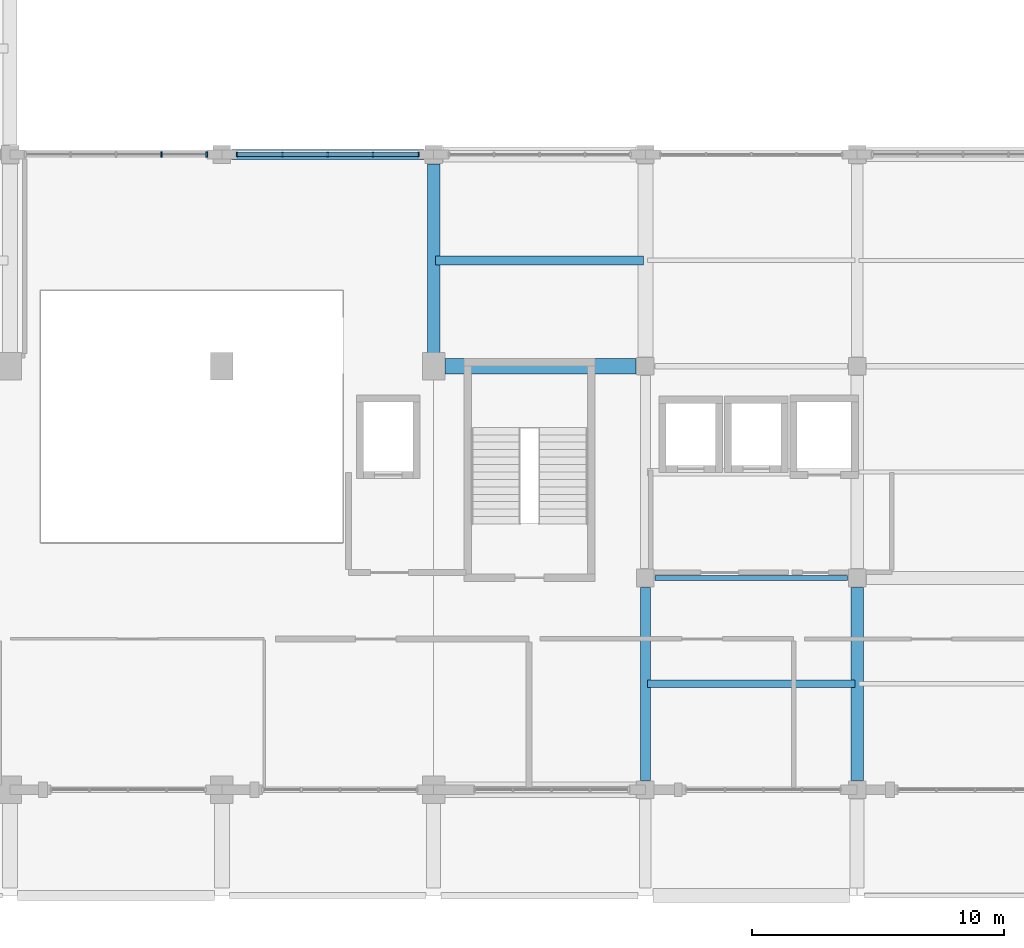
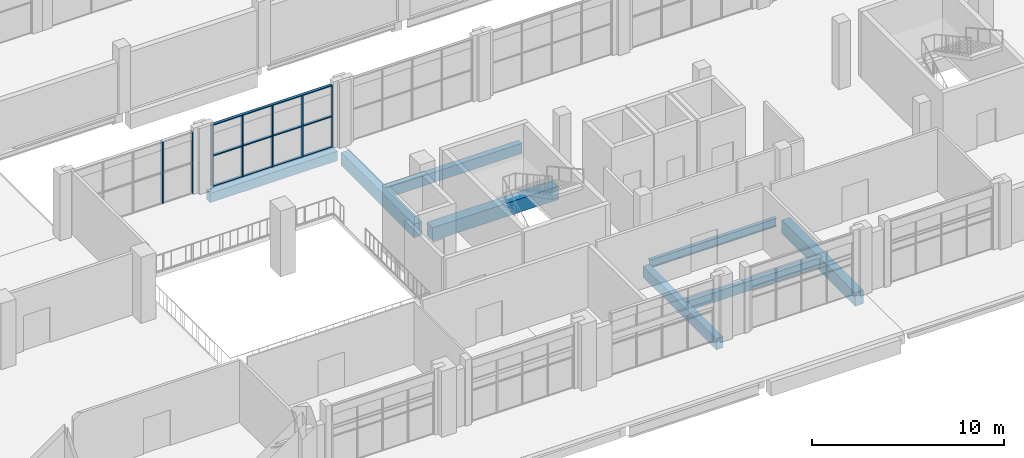
# One storey, part 17 of 59: 10 members, 8 beams, 2 elements without a shape of their own.
"""IFC4 building model written with IfcOpenShell, lengths in metres."""

from ifc_helpers import new_model, si_unit, derived_unit, direction, frame, origin, origin_2d, place, context, subcontext, project, spatial, rectangle, i_section, extrude, material, material_profile, profile_set, type_object, element, aggregate, save


model = new_model("IFC4")

# Units and contexts
model_context = context("Model", 3, precision=1e-05, world=origin(), true_north=direction((0.0, 1.0)))
body_context = subcontext(model_context, "Body", "Model", "MODEL_VIEW")
ifc_project = project(units=[si_unit("LENGTHUNIT", "METRE"), si_unit("AREAUNIT", "SQUARE_METRE"), si_unit("VOLUMEUNIT", "CUBIC_METRE"), si_unit("PLANEANGLEUNIT", "RADIAN"), si_unit("MASSUNIT", "GRAM", prefix="KILO"), derived_unit("THERMALTRANSMITTANCEUNIT", [(si_unit("POWERUNIT", "WATT"), 1), (si_unit("LENGTHUNIT", "METRE"), -2), (si_unit("THERMODYNAMICTEMPERATUREUNIT", "KELVIN"), -1)])], contexts=[model_context])

# Site, building, storey
site_placement = place(None, origin())
site = spatial("IfcSite", under=ifc_project, at=site_placement, CompositionType="ELEMENT")
building_placement = place(site_placement, origin())
building = spatial("IfcBuilding", under=site, at=building_placement, Name="Barrovel Congress Hotel", CompositionType="ELEMENT")
storey_placement = place(building_placement, frame((0.0, 0.0, 9.89990234375)))
storey = spatial("IfcBuildingStorey", under=building, at=storey_placement, Name="L02", CompositionType="ELEMENT", Elevation=9.89990234375)

# Beams
ifc_material_1 = material(Name="Concrete C40", Category="concrete")
ifc_material_profile_1 = material_profile(ifc_material_1, rectangle(XDim=0.300048828125, YDim=0.60009765625, at=origin_2d()), Name="RC300x600")
ifc_profile_set_1 = profile_set([ifc_material_profile_1], Name="Concrete C40")
beam_type_1 = type_object("IfcBeamType", Name="BM-RC300x600", PredefinedType="JOIST", material=ifc_profile_set_1)
beam_1_placement = place(storey_placement, frame((84.080078125, 8.39990234375, -0.559814453125), z_axis=(1.0, 0.0, 0.0), x_axis=(0.0, 1.0, 0.0)))
element("IfcBeam", 1, at=beam_1_placement, inside=storey, type_object=beam_type_1, Name="JST:L02:84.0:8.4", PredefinedType="JOIST", context=body_context, shape_type="SweptSolid", body=[
    extrude(rectangle(XDim=0.300048828125, YDim=0.60009765625, at=origin_2d()), origin(), (0.0, 0.0, 1.0), 8.239990234375),
])
ifc_material_profile_2 = material_profile(ifc_material_1, rectangle(XDim=0.35009765625, YDim=0.64990234375, at=origin_2d()), Name="RC350x650")
ifc_profile_set_2 = profile_set([ifc_material_profile_2], Name="Concrete C40")
beam_type_2 = type_object("IfcBeamType", Name="BM-RC350x650", PredefinedType="JOIST", material=ifc_profile_set_2)
beam_2_placement = place(storey_placement, frame((75.679931640625, 25.199951171875, -0.5849609375), z_axis=(1.0, 0.0, 0.0), x_axis=(0.0, 1.0, 0.0)))
element("IfcBeam", 2, at=beam_2_placement, inside=storey, type_object=beam_type_2, Name="JST:L02:75.6:25.2", PredefinedType="JOIST", context=body_context, shape_type="SweptSolid", body=[
    extrude(rectangle(XDim=0.35009765625, YDim=0.64990234375, at=origin_2d()), origin(), (0.0, 0.0, 1.0), 8.239990234375),
])
ifc_material_profile_3 = material_profile(ifc_material_1, rectangle(XDim=0.39990234375, YDim=0.60009765625, at=origin_2d()), Name="RC400x600")
ifc_profile_set_3 = profile_set([ifc_material_profile_3], Name="Concrete C40")
beam_type_3 = type_object("IfcBeamType", Name="BM-RC400x600", PredefinedType="BEAM", material=ifc_profile_set_3)
beam_3_placement = place(storey_placement, frame((67.574951171875, 29.39990234375, -0.559814453125), z_axis=(1.0, 0.0, 0.0), x_axis=(0.0, 1.0, 0.0)))
element("IfcBeam", 3, at=beam_3_placement, inside=storey, type_object=beam_type_3, Name="BMX:L02:29.4:67.2-75.6", PredefinedType="BEAM", context=body_context, shape_type="SweptSolid", body=[
    extrude(rectangle(XDim=0.39990234375, YDim=0.60009765625, at=origin_2d()), origin(), (0.0, 0.0, 1.0), 7.650146484375),
])
ifc_material_profile_4 = material_profile(ifc_material_1, rectangle(XDim=0.39990234375, YDim=0.699951171875, at=origin_2d()), Name="RC400x700")
ifc_profile_set_4 = profile_set([ifc_material_profile_4], Name="Concrete C40")
beam_type_4 = type_object("IfcBeamType", Name="BM-RC400x700", PredefinedType="BEAM", material=ifc_profile_set_4)
beam_4_placement = place(storey_placement, frame((84.0, 4.574951171875, -0.60986328125), z_axis=(0.0, 1.0, 0.0), x_axis=(-1.0, 0.0, 0.0)))
element("IfcBeam", 4, at=beam_4_placement, inside=storey, type_object=beam_type_4, Name="BMY:L02:84.0:4.2-12.6", PredefinedType="BEAM", context=body_context, shape_type="SweptSolid", body=[
    extrude(rectangle(XDim=0.39990234375, YDim=0.699951171875, at=origin_2d()), origin(), (0.0, 0.0, 1.0), 7.650146484375),
])
ifc_material_profile_5 = material_profile(ifc_material_1, rectangle(XDim=0.5, YDim=0.85009765625, at=origin_2d()), Name="RC500x850")
ifc_profile_set_5 = profile_set([ifc_material_profile_5], Name="Concrete C40")
beam_type_5 = type_object("IfcBeamType", Name="BM-RC500x850", PredefinedType="BEAM", material=ifc_profile_set_5)
beam_5_placement = place(storey_placement, frame((75.60009765625, 21.449951171875, -0.684814453125), z_axis=(0.0, 1.0, 0.0), x_axis=(-1.0, 0.0, 0.0)))
element("IfcBeam", 5, at=beam_5_placement, inside=storey, type_object=beam_type_5, Name="BMY:L02:75.6:21.0-29.4", PredefinedType="BEAM", context=body_context, shape_type="SweptSolid", body=[
    extrude(rectangle(XDim=0.5, YDim=0.85009765625, at=origin_2d()), origin(), (0.0, 0.0, 1.0), 7.574951171875),
])
beam_6_placement = place(storey_placement, frame((92.39990234375, 4.574951171875, -0.684814453125), z_axis=(0.0, 1.0, 0.0), x_axis=(-1.0, 0.0, 0.0)))
element("IfcBeam", 6, at=beam_6_placement, inside=storey, type_object=beam_type_5, Name="BMY:L02:92.4:4.2-12.6", PredefinedType="BEAM", context=body_context, shape_type="SweptSolid", body=[
    extrude(rectangle(XDim=0.5, YDim=0.85009765625, at=origin_2d()), origin(), (0.0, 0.0, 1.0), 7.650146484375),
])
ifc_material_profile_6 = material_profile(ifc_material_1, rectangle(XDim=0.60009765625, YDim=0.85009765625, at=origin_2d()), Name="RC600x850")
ifc_profile_set_6 = profile_set([ifc_material_profile_6], Name="Concrete C40")
beam_type_6 = type_object("IfcBeamType", Name="BM-RC600x850", PredefinedType="BEAM", material=ifc_profile_set_6)
beam_7_placement = place(storey_placement, frame((76.050048828125, 21.0, -0.684814453125), z_axis=(1.0, 0.0, 0.0), x_axis=(0.0, 1.0, 0.0)))
element("IfcBeam", 7, at=beam_7_placement, inside=storey, type_object=beam_type_6, Name="BMX:L02:21.0:75.6-84.0", PredefinedType="BEAM", context=body_context, shape_type="SweptSolid", body=[
    extrude(rectangle(XDim=0.60009765625, YDim=0.85009765625, at=origin_2d()), origin(), (0.0, 0.0, 1.0), 7.574951171875),
])

# Curtain wall, members
ifc_material_2 = material(Name="Anodised Aluminium Alloy 6063-T6", Category="aluminium")
curtain_wall_type = type_object("IfcCurtainWallType", Name="CW-ST-7200x3600", PredefinedType="USERDEFINED", material=ifc_material_2)
curtain_wall_1_placement = place(storey_placement, origin())
curtain_wall_1 = element("IfcCurtainWall", 8, at=curtain_wall_1_placement, inside=storey, type_object=curtain_wall_type, Name="CW:L02:CS:08", ObjectType="STICK CURTAIN WALL", PredefinedType="USERDEFINED")
ifc_material_profile_7 = material_profile(ifc_material_2, rectangle(XDim=0.06494140625, YDim=0.18994140625, at=origin_2d()), Name="AL-M65x190")
ifc_profile_set_7 = profile_set([ifc_material_profile_7], Name="Anodised Aluminium Alloy 6063-T6")
member_type_1 = type_object("IfcMemberType", Name="CWM-AL-M65x190", PredefinedType="MULLION", material=ifc_profile_set_7)
member_1_placement = place(storey_placement, frame((75.0, 29.39990234375, 0.0), z_axis=(0.0, 0.0, 1.0), x_axis=(1.0, 0.0, 0.0)))
member_1 = element("IfcMember", 9, at=member_1_placement, type_object=member_type_1, Name="CW:L02:CS:08:M0", PredefinedType="MULLION", context=body_context, shape_type="SweptSolid", body=[
    extrude(rectangle(XDim=0.06494140625, YDim=0.18994140625, at=origin_2d()), origin(), (0.0, 0.0, 1.0), 3.920166015625),
])
member_2_placement = place(storey_placement, frame((73.199951171875, 29.39990234375, 0.0), z_axis=(0.0, 0.0, 1.0), x_axis=(1.0, 0.0, 0.0)))
member_2 = element("IfcMember", 10, at=member_2_placement, type_object=member_type_1, Name="CW:L02:CS:08:M1", PredefinedType="MULLION", context=body_context, shape_type="SweptSolid", body=[
    extrude(rectangle(XDim=0.06494140625, YDim=0.18994140625, at=origin_2d()), origin(), (0.0, 0.0, 1.0), 3.920166015625),
])
member_3_placement = place(storey_placement, frame((71.39990234375, 29.39990234375, 0.0), z_axis=(0.0, 0.0, 1.0), x_axis=(1.0, 0.0, 0.0)))
member_3 = element("IfcMember", 11, at=member_3_placement, type_object=member_type_1, Name="CW:L02:CS:08:M2", PredefinedType="MULLION", context=body_context, shape_type="SweptSolid", body=[
    extrude(rectangle(XDim=0.06494140625, YDim=0.18994140625, at=origin_2d()), origin(), (0.0, 0.0, 1.0), 3.920166015625),
])
member_4_placement = place(storey_placement, frame((69.60009765625, 29.39990234375, 0.0), z_axis=(0.0, 0.0, 1.0), x_axis=(1.0, 0.0, 0.0)))
member_4 = element("IfcMember", 12, at=member_4_placement, type_object=member_type_1, Name="CW:L02:CS:08:M3", PredefinedType="MULLION", context=body_context, shape_type="SweptSolid", body=[
    extrude(rectangle(XDim=0.06494140625, YDim=0.18994140625, at=origin_2d()), origin(), (0.0, 0.0, 1.0), 3.920166015625),
])
member_5_placement = place(storey_placement, frame((67.800048828125, 29.39990234375, 0.0), z_axis=(0.0, 0.0, 1.0), x_axis=(1.0, 0.0, 0.0)))
member_5 = element("IfcMember", 13, at=member_5_placement, type_object=member_type_1, Name="CW:L02:CS:08:M4", PredefinedType="MULLION", context=body_context, shape_type="SweptSolid", body=[
    extrude(rectangle(XDim=0.06494140625, YDim=0.18994140625, at=origin_2d()), origin(), (0.0, 0.0, 1.0), 3.920166015625),
])

curtain_wall_2_placement = place(storey_placement, origin())
curtain_wall_2 = element("IfcCurtainWall", 14, at=curtain_wall_2_placement, inside=storey, type_object=curtain_wall_type, Name="CW:L02:CS:07", ObjectType="STICK CURTAIN WALL", PredefinedType="USERDEFINED")
ifc_material_profile_8 = material_profile(ifc_material_2, rectangle(XDim=0.06494140625, YDim=0.219970703125, at=origin_2d()), Name="AL-M65x220")
ifc_profile_set_8 = profile_set([ifc_material_profile_8], Name="Anodised Aluminium Alloy 6063-T6")
member_type_2 = type_object("IfcMemberType", Name="CWM-AL-M65x220", PredefinedType="MULLION", material=ifc_profile_set_8)
member_6_placement = place(storey_placement, frame((66.60009765625, 29.39990234375, 0.0), z_axis=(0.0, 0.0, 1.0), x_axis=(1.0, 0.0, 0.0)))
member_6 = element("IfcMember", 15, at=member_6_placement, type_object=member_type_2, Name="CW:L02:CS:07:M0", PredefinedType="MULLION", context=body_context, shape_type="SweptSolid", body=[
    extrude(rectangle(XDim=0.06494140625, YDim=0.219970703125, at=origin_2d()), origin(), (0.0, 0.0, 1.0), 3.920166015625),
])
member_7_placement = place(storey_placement, frame((64.800048828125, 29.39990234375, 0.0), z_axis=(0.0, 0.0, 1.0), x_axis=(1.0, 0.0, 0.0)))
member_7 = element("IfcMember", 16, at=member_7_placement, type_object=member_type_2, Name="CW:L02:CS:07:M1", PredefinedType="MULLION", context=body_context, shape_type="SweptSolid", body=[
    extrude(rectangle(XDim=0.06494140625, YDim=0.219970703125, at=origin_2d()), origin(), (0.0, 0.0, 1.0), 3.920166015625),
])
aggregate(curtain_wall_2, [member_6, member_7])

# Member
ifc_material_profile_9 = material_profile(ifc_material_2, rectangle(XDim=0.14990234375, YDim=0.06494140625, at=origin_2d()), Name="AL-T65x150")
ifc_profile_set_9 = profile_set([ifc_material_profile_9], Name="Anodised Aluminium Alloy 6063-T6")
member_type_3 = type_object("IfcMemberType", Name="CWT-AL-T65x150", PredefinedType="USERDEFINED", material=ifc_profile_set_9)
member_8_placement = place(storey_placement, frame((75.0, 29.39990234375, 0.0), z_axis=(-1.0, 0.0, 0.0), x_axis=(0.0, -1.0, 0.0)))
member_8 = element("IfcMember", 17, at=member_8_placement, type_object=member_type_3, Name="CW:L02:CS:08:T0", ObjectType="TRANSOM", PredefinedType="USERDEFINED", context=body_context, shape_type="SweptSolid", body=[
    extrude(rectangle(XDim=0.14990234375, YDim=0.06494140625, at=origin_2d()), origin(), (0.0, 0.0, 1.0), 7.199951171875),
])

member_9_placement = place(storey_placement, frame((75.0, 29.39990234375, 1.960205078125), z_axis=(-1.0, 0.0, 0.0), x_axis=(0.0, -1.0, 0.0)))
member_9 = element("IfcMember", 18, at=member_9_placement, type_object=member_type_3, Name="CW:L02:CS:08:T1", ObjectType="TRANSOM", PredefinedType="USERDEFINED", context=body_context, shape_type="SweptSolid", body=[
    extrude(rectangle(XDim=0.14990234375, YDim=0.06494140625, at=origin_2d()), origin(), (0.0, 0.0, 1.0), 7.199951171875),
])

member_10_placement = place(storey_placement, frame((75.0, 29.39990234375, 3.920166015625), z_axis=(-1.0, 0.0, 0.0), x_axis=(0.0, -1.0, 0.0)))
member_10 = element("IfcMember", 19, at=member_10_placement, type_object=member_type_3, Name="CW:L02:CS:08:T2", ObjectType="TRANSOM", PredefinedType="USERDEFINED", context=body_context, shape_type="SweptSolid", body=[
    extrude(rectangle(XDim=0.14990234375, YDim=0.06494140625, at=origin_2d()), origin(), (0.0, 0.0, 1.0), 7.199951171875),
])

aggregate(curtain_wall_1, [member_1, member_2, member_3, member_4, member_5, member_8, member_9, member_10])

# Beam
ifc_material_3 = material(Name="Steel ASTM A992 Grade 50", Category="steel")
ifc_material_profile_10 = material_profile(ifc_material_3, i_section(OverallWidth=0.208984375, OverallDepth=0.532958984375, WebThickness=0.01025390625, FlangeThickness=0.015625, FilletRadius=0.013916015625, at=origin_2d()), Name="W530x92")
ifc_profile_set_10 = profile_set([ifc_material_profile_10], Name="Steel ASTM A992 Grade 50")
beam_type_7 = type_object("IfcBeamType", Name="SBM-W530x92", PredefinedType="BEAM", material=ifc_profile_set_10)
beam_8_placement = place(storey_placement, frame((84.375, 12.60009765625, -0.5263671875), z_axis=(1.0, 0.0, 0.0), x_axis=(0.0, 1.0, 0.0)))
element("IfcBeam", 20, at=beam_8_placement, inside=storey, type_object=beam_type_7, Name="BMX:L02:12.6:84.0-92.4", PredefinedType="BEAM", context=body_context, shape_type="SweptSolid", body=[
    extrude(i_section(OverallWidth=0.208984375, OverallDepth=0.532958984375, WebThickness=0.01025390625, FlangeThickness=0.015625, FilletRadius=0.013916015625, at=origin_2d()), origin(), (0.0, 0.0, 1.0), 7.64990234375),
])

save(model, "model.ifc")
